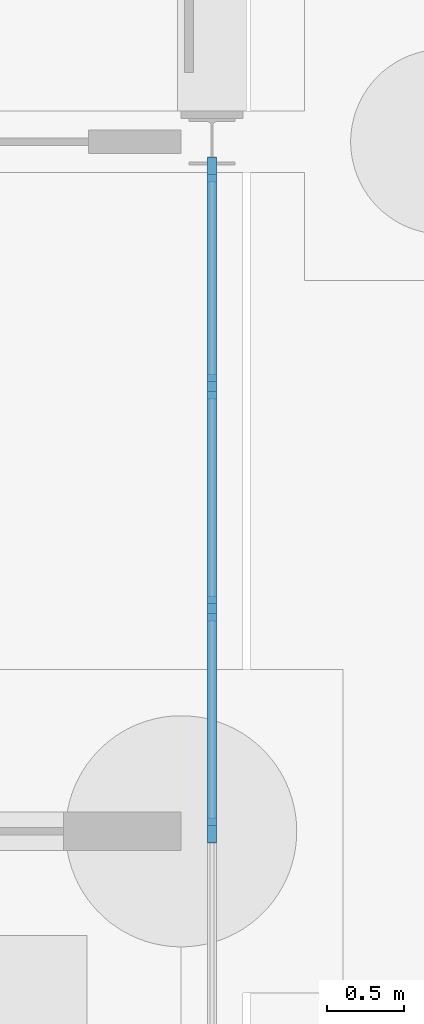
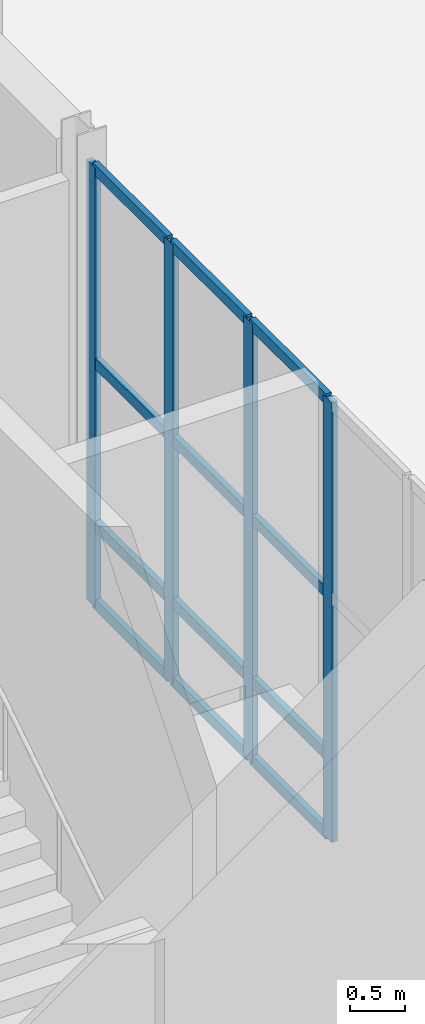
# One storey, part 55 of 168: 16 members, 1 element without a shape of its own.
"""IFC4 building model written with IfcOpenShell, lengths in metres."""

from ifc_helpers import new_model, si_unit, direction, frame, origin, origin_2d, place, context, subcontext, project, spatial, rectangle, extrude, material, layer, layer_set, material_profile, profile_set, type_object, element, aggregate, save


model = new_model("IFC4")

# Units and contexts
model_context = context("Model", 3, precision=1e-05, world=origin(), true_north=direction((0.0, 1.0)))
body_context = subcontext(model_context, "Body", "Model", "MODEL_VIEW")
ifc_project = project(units=[si_unit("LENGTHUNIT", "METRE"), si_unit("AREAUNIT", "SQUARE_METRE"), si_unit("VOLUMEUNIT", "CUBIC_METRE"), si_unit("PLANEANGLEUNIT", "RADIAN"), si_unit("MASSUNIT", "GRAM", prefix="KILO")], contexts=[model_context])

# Site, building, storey
site_placement = place(None, origin())
site = spatial("IfcSite", under=ifc_project, at=site_placement, CompositionType="ELEMENT")
building_placement = place(site_placement, origin())
building = spatial("IfcBuilding", under=site, at=building_placement, Name="Golden Quay Civic Hall", CompositionType="ELEMENT")
storey_placement = place(building_placement, origin())
storey = spatial("IfcBuildingStorey", under=building, at=storey_placement, Name="L00", CompositionType="ELEMENT", Elevation=0.0)

# Curtain wall, members
ifc_material_1 = material(Name="Glass, laminated double glazed", Category="glass")
ifc_layer = layer(ifc_material_1, 0.199951171875)
ifc_layer_set = layer_set([ifc_layer], Name="Glazed core strip curtain wall")
curtain_wall_type = type_object("IfcCurtainWallType", Name="Glazed core strip curtain wall", PredefinedType="NOTDEFINED", material=ifc_layer_set)
curtain_wall_placement = place(storey_placement, origin())
curtain_wall = element("IfcCurtainWall", 1, at=curtain_wall_placement, inside=storey, type_object=curtain_wall_type, Name="Glazed core strip curtain wall L00 2", PredefinedType="NOTDEFINED")
ifc_material_2 = material(Name="Aluminium, anodised", Category="aluminium")
ifc_material_profile_1 = material_profile(ifc_material_2, rectangle(XDim=0.06005859375, YDim=0.159912109375, at=origin_2d()), Name="Aluminium 60 x 160")
ifc_profile_set_1 = profile_set([ifc_material_profile_1], Name="Aluminium, anodised")
member_type_1 = type_object("IfcMemberType", Name="Aluminium mullion 60 x 160", PredefinedType="MULLION", material=ifc_profile_set_1)
member_1_placement = place(storey_placement, frame((54.0, 70.320068359375, 0.0), z_axis=(0.0, 0.0, 1.0), x_axis=(1.0, 0.0, 0.0)))
member_1 = element("IfcMember", 2, at=member_1_placement, type_object=member_type_1, Name="CW2 mullion 1", PredefinedType="MULLION", context=body_context, shape_type="SweptSolid", body=[
    extrude(rectangle(XDim=0.06005859375, YDim=0.159912109375, at=origin_2d()), origin(), (0.0, 0.0, 1.0), 4.8701171875),
])
member_2_placement = place(storey_placement, frame((54.0, 68.909912109375, 0.0), z_axis=(0.0, 0.0, 1.0), x_axis=(1.0, 0.0, 0.0)))
member_2 = element("IfcMember", 3, at=member_2_placement, type_object=member_type_1, Name="CW2 mullion 2", PredefinedType="MULLION", context=body_context, shape_type="SweptSolid", body=[
    extrude(rectangle(XDim=0.06005859375, YDim=0.159912109375, at=origin_2d()), origin(), (0.0, 0.0, 1.0), 4.8701171875),
])
member_3_placement = place(storey_placement, frame((54.0, 67.469970703125, 0.0), z_axis=(0.0, 0.0, 1.0), x_axis=(1.0, 0.0, 0.0)))
member_3 = element("IfcMember", 4, at=member_3_placement, type_object=member_type_1, Name="CW2 mullion 3", PredefinedType="MULLION", context=body_context, shape_type="SweptSolid", body=[
    extrude(rectangle(XDim=0.06005859375, YDim=0.159912109375, at=origin_2d()), origin(), (0.0, 0.0, 1.0), 4.8701171875),
])
member_4_placement = place(storey_placement, frame((54.0, 66.030029296875, 0.0), z_axis=(0.0, 0.0, 1.0), x_axis=(1.0, 0.0, 0.0)))
member_4 = element("IfcMember", 5, at=member_4_placement, type_object=member_type_1, Name="CW2 mullion 4", PredefinedType="MULLION", context=body_context, shape_type="SweptSolid", body=[
    extrude(rectangle(XDim=0.06005859375, YDim=0.159912109375, at=origin_2d()), origin(), (0.0, 0.0, 1.0), 4.8701171875),
])
ifc_material_3 = material(Name="Aluminium, anodised", Category="aluminium")
ifc_material_profile_2 = material_profile(ifc_material_3, rectangle(XDim=0.06005859375, YDim=0.1201171875, at=origin_2d()), Name="Aluminium 60 x 120")
ifc_profile_set_2 = profile_set([ifc_material_profile_2], Name="Aluminium, anodised")
member_type_2 = type_object("IfcMemberType", Name="Aluminium transom 60 x 120", PredefinedType="USERDEFINED", material=ifc_profile_set_2)
member_5_placement = place(storey_placement, frame((54.0, 70.2900390625, 0.030029296875), z_axis=(0.0, -1.0, 0.0), x_axis=(1.0, 0.0, 0.0)))
member_5 = element("IfcMember", 6, at=member_5_placement, type_object=member_type_2, Name="CW2 transom 1.1", ObjectType="TRANSOM", PredefinedType="USERDEFINED", context=body_context, shape_type="SweptSolid", body=[
    extrude(rectangle(XDim=0.06005859375, YDim=0.1201171875, at=origin_2d()), origin(), (0.0, 0.0, 1.0), 1.35009765625),
])
member_6_placement = place(storey_placement, frame((54.0, 70.2900390625, 0.89990234375), z_axis=(0.0, -1.0, 0.0), x_axis=(1.0, 0.0, 0.0)))
member_6 = element("IfcMember", 7, at=member_6_placement, type_object=member_type_2, Name="CW2 transom 1.2", ObjectType="TRANSOM", PredefinedType="USERDEFINED", context=body_context, shape_type="SweptSolid", body=[
    extrude(rectangle(XDim=0.06005859375, YDim=0.1201171875, at=origin_2d()), origin(), (0.0, 0.0, 1.0), 1.35009765625),
])
member_7_placement = place(storey_placement, frame((54.0, 70.2900390625, 2.699951171875), z_axis=(0.0, -1.0, 0.0), x_axis=(1.0, 0.0, 0.0)))
member_7 = element("IfcMember", 8, at=member_7_placement, type_object=member_type_2, Name="CW2 transom 1.3", ObjectType="TRANSOM", PredefinedType="USERDEFINED", context=body_context, shape_type="SweptSolid", body=[
    extrude(rectangle(XDim=0.06005859375, YDim=0.1201171875, at=origin_2d()), origin(), (0.0, 0.0, 1.0), 1.35009765625),
])
member_8_placement = place(storey_placement, frame((54.0, 70.2900390625, 4.840087890625), z_axis=(0.0, -1.0, 0.0), x_axis=(1.0, 0.0, 0.0)))
member_8 = element("IfcMember", 9, at=member_8_placement, type_object=member_type_2, Name="CW2 transom 1.4", ObjectType="TRANSOM", PredefinedType="USERDEFINED", context=body_context, shape_type="SweptSolid", body=[
    extrude(rectangle(XDim=0.06005859375, YDim=0.1201171875, at=origin_2d()), origin(), (0.0, 0.0, 1.0), 1.35009765625),
])
member_9_placement = place(storey_placement, frame((54.0, 68.8798828125, 0.030029296875), z_axis=(0.0, -1.0, 0.0), x_axis=(1.0, 0.0, 0.0)))
member_9 = element("IfcMember", 10, at=member_9_placement, type_object=member_type_2, Name="CW2 transom 2.1", ObjectType="TRANSOM", PredefinedType="USERDEFINED", context=body_context, shape_type="SweptSolid", body=[
    extrude(rectangle(XDim=0.06005859375, YDim=0.1201171875, at=origin_2d()), origin(), (0.0, 0.0, 1.0), 1.3798828125),
])
member_10_placement = place(storey_placement, frame((54.0, 68.8798828125, 0.89990234375), z_axis=(0.0, -1.0, 0.0), x_axis=(1.0, 0.0, 0.0)))
member_10 = element("IfcMember", 11, at=member_10_placement, type_object=member_type_2, Name="CW2 transom 2.2", ObjectType="TRANSOM", PredefinedType="USERDEFINED", context=body_context, shape_type="SweptSolid", body=[
    extrude(rectangle(XDim=0.06005859375, YDim=0.1201171875, at=origin_2d()), origin(), (0.0, 0.0, 1.0), 1.3798828125),
])
member_11_placement = place(storey_placement, frame((54.0, 68.8798828125, 2.699951171875), z_axis=(0.0, -1.0, 0.0), x_axis=(1.0, 0.0, 0.0)))
member_11 = element("IfcMember", 12, at=member_11_placement, type_object=member_type_2, Name="CW2 transom 2.3", ObjectType="TRANSOM", PredefinedType="USERDEFINED", context=body_context, shape_type="SweptSolid", body=[
    extrude(rectangle(XDim=0.06005859375, YDim=0.1201171875, at=origin_2d()), origin(), (0.0, 0.0, 1.0), 1.3798828125),
])
member_12_placement = place(storey_placement, frame((54.0, 68.8798828125, 4.840087890625), z_axis=(0.0, -1.0, 0.0), x_axis=(1.0, 0.0, 0.0)))
member_12 = element("IfcMember", 13, at=member_12_placement, type_object=member_type_2, Name="CW2 transom 2.4", ObjectType="TRANSOM", PredefinedType="USERDEFINED", context=body_context, shape_type="SweptSolid", body=[
    extrude(rectangle(XDim=0.06005859375, YDim=0.1201171875, at=origin_2d()), origin(), (0.0, 0.0, 1.0), 1.3798828125),
])
member_13_placement = place(storey_placement, frame((54.0, 67.43994140625, 0.030029296875), z_axis=(0.0, -1.0, 0.0), x_axis=(1.0, 0.0, 0.0)))
member_13 = element("IfcMember", 14, at=member_13_placement, type_object=member_type_2, Name="CW2 transom 3.1", ObjectType="TRANSOM", PredefinedType="USERDEFINED", context=body_context, shape_type="SweptSolid", body=[
    extrude(rectangle(XDim=0.06005859375, YDim=0.1201171875, at=origin_2d()), origin(), (0.0, 0.0, 1.0), 1.3798828125),
])
member_14_placement = place(storey_placement, frame((54.0, 67.43994140625, 0.89990234375), z_axis=(0.0, -1.0, 0.0), x_axis=(1.0, 0.0, 0.0)))
member_14 = element("IfcMember", 15, at=member_14_placement, type_object=member_type_2, Name="CW2 transom 3.2", ObjectType="TRANSOM", PredefinedType="USERDEFINED", context=body_context, shape_type="SweptSolid", body=[
    extrude(rectangle(XDim=0.06005859375, YDim=0.1201171875, at=origin_2d()), origin(), (0.0, 0.0, 1.0), 1.3798828125),
])
member_15_placement = place(storey_placement, frame((54.0, 67.43994140625, 2.699951171875), z_axis=(0.0, -1.0, 0.0), x_axis=(1.0, 0.0, 0.0)))
member_15 = element("IfcMember", 16, at=member_15_placement, type_object=member_type_2, Name="CW2 transom 3.3", ObjectType="TRANSOM", PredefinedType="USERDEFINED", context=body_context, shape_type="SweptSolid", body=[
    extrude(rectangle(XDim=0.06005859375, YDim=0.1201171875, at=origin_2d()), origin(), (0.0, 0.0, 1.0), 1.3798828125),
])
member_16_placement = place(storey_placement, frame((54.0, 67.43994140625, 4.840087890625), z_axis=(0.0, -1.0, 0.0), x_axis=(1.0, 0.0, 0.0)))
member_16 = element("IfcMember", 17, at=member_16_placement, type_object=member_type_2, Name="CW2 transom 3.4", ObjectType="TRANSOM", PredefinedType="USERDEFINED", context=body_context, shape_type="SweptSolid", body=[
    extrude(rectangle(XDim=0.06005859375, YDim=0.1201171875, at=origin_2d()), origin(), (0.0, 0.0, 1.0), 1.3798828125),
])
aggregate(curtain_wall, [member_1, member_2, member_3, member_4, member_5, member_6, member_7, member_8, member_9, member_10, member_11, member_12, member_13, member_14, member_15, member_16])

save(model, "model.ifc")
